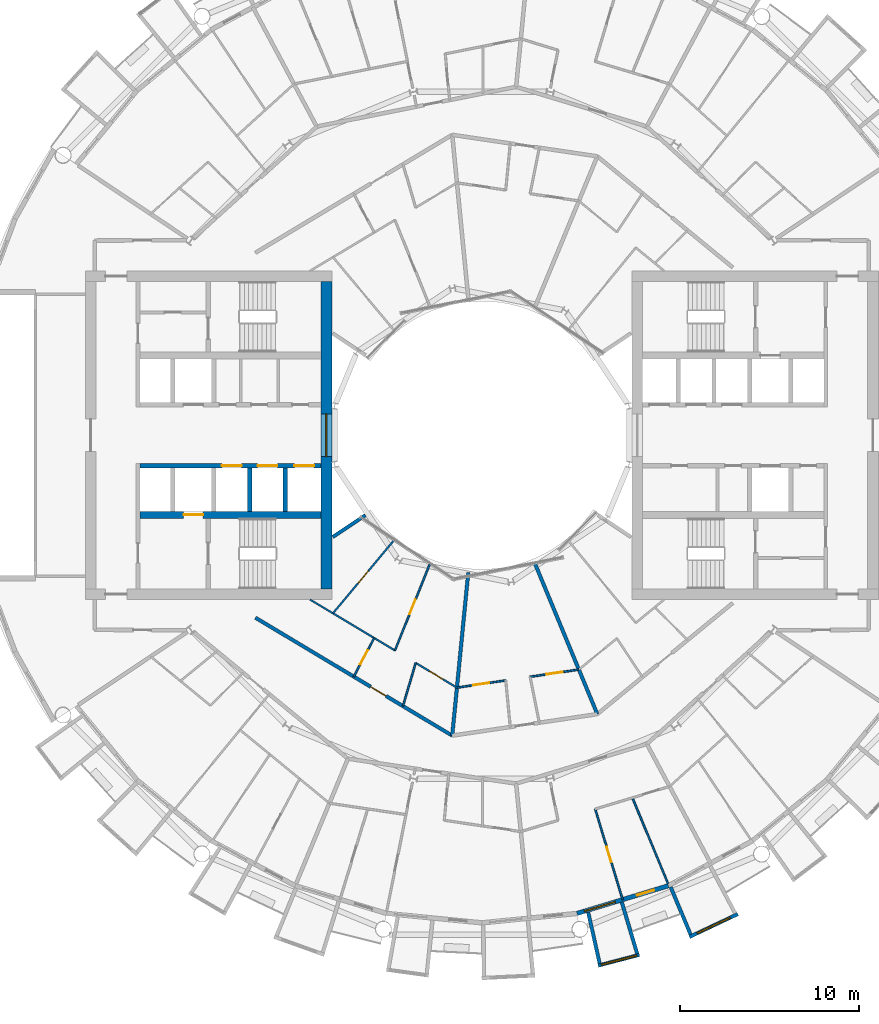
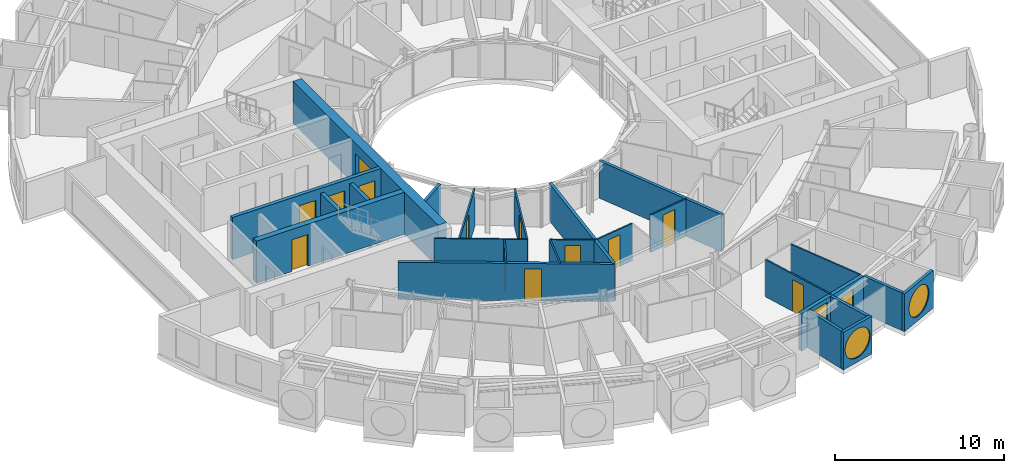
# One storey, part 16 of 28: 25 walls, 13 doors, 4 windows, 17 openings.
"""IFC4 building model written with IfcOpenShell, lengths in metres."""

from ifc_helpers import new_model, si_unit, direction, frame, frame_2d, origin, place, context, subcontext, project, spatial, rectangle, circle, extrude, material, layer, layer_set, type_object, element, fill, save


model = new_model("IFC4")

# Units and contexts
model_context = context("Model", 3, precision=1e-05, world=origin(), true_north=direction((0.0, 1.0)))
body_context = subcontext(model_context, "Body", "Model", "MODEL_VIEW")
ifc_project = project(units=[si_unit("LENGTHUNIT", "METRE"), si_unit("AREAUNIT", "SQUARE_METRE"), si_unit("VOLUMEUNIT", "CUBIC_METRE"), si_unit("PLANEANGLEUNIT", "RADIAN"), si_unit("MASSUNIT", "GRAM", prefix="KILO")], contexts=[model_context])

# Site, building, storey
site_placement = place(None, origin())
site = spatial("IfcSite", under=ifc_project, at=site_placement, CompositionType="ELEMENT")
building_placement = place(site_placement, origin())
building = spatial("IfcBuilding", under=site, at=building_placement, Name="Maasbend Ring Residences", CompositionType="ELEMENT")
storey_placement = place(building_placement, frame((0.0, 0.0, 133.0)))
storey = spatial("IfcBuildingStorey", under=building, at=storey_placement, Name="L38", CompositionType="ELEMENT", Elevation=133.0)

# Wall, openings, doors
ifc_material_1 = material(Name="Concrete C60/75", Category="concrete")
ifc_layer_1 = layer(ifc_material_1, 0.25)
ifc_layer_set_1 = layer_set([ifc_layer_1], Name="Concrete C60/75")
wall_type_1 = type_object("IfcWallType", Name="CORE WALL 250 C60/75", PredefinedType="SHEAR", material=ifc_layer_set_1)
wall_1_placement = place(storey_placement, frame((-9.0, -1.699951171875, 0.0), z_axis=(0.0, 0.0, 1.0), x_axis=(-1.0, 0.0, 0.0)))
wall_1 = element("IfcWall", 1, at=wall_1_placement, inside=storey, type_object=wall_type_1, Name="L38 core W wall SPN", PredefinedType="SHEAR", context=body_context, shape_type="SweptSolid", body=[
    extrude(rectangle(XDim=10.14990234375, YDim=0.25, at=frame_2d((5.074951171875, 0.0))), origin(), (0.0, 0.0, 1.0), 3.050048828125),
])
opening_1_placement = place(wall_1_placement, frame((0.387451171875, 0.0, 0.0)))
opening_1 = element("IfcOpeningElement", 2, at=opening_1_placement, cuts=wall_1, Name="Opening LD-W3801", PredefinedType="OPENING", context=body_context, shape_type="SweptSolid", body=[
    extrude(rectangle(XDim=1.10009765625, YDim=2.300048828125, at=frame_2d((0.550048828125, 1.14990234375))), frame((0.0, 0.135009765625, 0.0), z_axis=(0.0, -1.0, 0.0), x_axis=(1.0, 0.0, 0.0)), (0.0, 0.0, 1.0), 0.27001953125),
])
opening_2_placement = place(wall_1_placement, frame((2.449951171875, 0.0, 0.0)))
opening_2 = element("IfcOpeningElement", 3, at=opening_2_placement, cuts=wall_1, Name="Opening LD-W3802", PredefinedType="OPENING", context=body_context, shape_type="SweptSolid", body=[
    extrude(rectangle(XDim=1.10009765625, YDim=2.300048828125, at=frame_2d((0.550048828125, 1.14990234375))), frame((0.0, 0.135009765625, 0.0), z_axis=(0.0, -1.0, 0.0), x_axis=(1.0, 0.0, 0.0)), (0.0, 0.0, 1.0), 0.27001953125),
])
opening_3_placement = place(wall_1_placement, frame((4.449951171875, 0.0, 0.0)))
opening_3 = element("IfcOpeningElement", 4, at=opening_3_placement, cuts=wall_1, Name="Opening LD-W3803", PredefinedType="OPENING", context=body_context, shape_type="SweptSolid", body=[
    extrude(rectangle(XDim=1.10009765625, YDim=2.300048828125, at=frame_2d((0.550048828125, 1.14990234375))), frame((0.0, 0.135009765625, 0.0), z_axis=(0.0, -1.0, 0.0), x_axis=(1.0, 0.0, 0.0)), (0.0, 0.0, 1.0), 0.27001953125),
])
ifc_material_2 = material(Name="Stainless steel 316", Category="steel")
door_type_1 = type_object("IfcDoorType", Name="LANDING DOOR 1100 X 2300 FD60", OperationType="DOUBLE_DOOR_SLIDING", PredefinedType="DOOR", material=ifc_material_2)
door_1_placement = place(opening_1_placement, origin())
door_1 = element("IfcDoor", 5, at=door_1_placement, inside=storey, type_object=door_type_1, Name="Landing door LR-W1 L38", OperationType="DOUBLE_DOOR_SLIDING", OverallHeight=2.300048828125, OverallWidth=1.10009765625, PredefinedType="DOOR", context=body_context, shape_type="SweptSolid", body=[
    extrude(rectangle(XDim=1.10009765625, YDim=2.300048828125, at=frame_2d((0.550048828125, 1.14990234375))), frame((0.0, 0.02490234375, 0.0), z_axis=(0.0, -1.0, 0.0), x_axis=(1.0, 0.0, 0.0)), (0.0, 0.0, 1.0), 0.050048828125),
])
fill(opening_1, door_1)
door_2_placement = place(opening_2_placement, origin())
door_2 = element("IfcDoor", 6, at=door_2_placement, inside=storey, type_object=door_type_1, Name="Landing door LR-W2 L38", OperationType="DOUBLE_DOOR_SLIDING", OverallHeight=2.300048828125, OverallWidth=1.10009765625, PredefinedType="DOOR", context=body_context, shape_type="SweptSolid", body=[
    extrude(rectangle(XDim=1.10009765625, YDim=2.300048828125, at=frame_2d((0.550048828125, 1.14990234375))), frame((0.0, 0.02490234375, 0.0), z_axis=(0.0, -1.0, 0.0), x_axis=(1.0, 0.0, 0.0)), (0.0, 0.0, 1.0), 0.050048828125),
])
fill(opening_2, door_2)
door_3_placement = place(opening_3_placement, origin())
door_3 = element("IfcDoor", 7, at=door_3_placement, inside=storey, type_object=door_type_1, Name="Landing door LR-W3 L38", OperationType="DOUBLE_DOOR_SLIDING", OverallHeight=2.300048828125, OverallWidth=1.10009765625, PredefinedType="DOOR", context=body_context, shape_type="SweptSolid", body=[
    extrude(rectangle(XDim=1.10009765625, YDim=2.300048828125, at=frame_2d((0.550048828125, 1.14990234375))), frame((0.0, 0.02490234375, 0.0), z_axis=(0.0, -1.0, 0.0), x_axis=(1.0, 0.0, 0.0)), (0.0, 0.0, 1.0), 0.050048828125),
])
fill(opening_3, door_3)

# Wall, opening, door
ifc_material_3 = material(Name="Concrete C60/75", Category="concrete")
ifc_layer_2 = layer(ifc_material_3, 0.375)
ifc_layer_set_2 = layer_set([ifc_layer_2], Name="Concrete C60/75")
wall_type_2 = type_object("IfcWallType", Name="CORE WALL 375 C60/75", PredefinedType="SHEAR", material=ifc_layer_set_2)
wall_2_placement = place(storey_placement, frame((-9.0, -4.46240234375, 0.0), z_axis=(0.0, 0.0, 1.0), x_axis=(-1.0, 0.0, 0.0)))
wall_2 = element("IfcWall", 8, at=wall_2_placement, inside=storey, type_object=wall_type_2, Name="L38 core W wall BN", PredefinedType="SHEAR", context=body_context, shape_type="SweptSolid", body=[
    extrude(rectangle(XDim=10.14990234375, YDim=0.375, at=frame_2d((5.074951171875, 0.0))), origin(), (0.0, 0.0, 1.0), 3.050048828125),
])
opening_4_placement = place(wall_2_placement, frame((6.60009765625, 0.0, 0.0)))
opening_4 = element("IfcOpeningElement", 9, at=opening_4_placement, cuts=wall_2, Name="Opening LD-W3804", PredefinedType="OPENING", context=body_context, shape_type="SweptSolid", body=[
    extrude(rectangle(XDim=1.10009765625, YDim=2.300048828125, at=frame_2d((0.550048828125, 1.14990234375))), frame((0.0, 0.197509765625, 0.0), z_axis=(0.0, -1.0, 0.0), x_axis=(1.0, 0.0, 0.0)), (0.0, 0.0, 1.0), 0.39501953125),
])
door_4_placement = place(opening_4_placement, origin())
door_4 = element("IfcDoor", 10, at=door_4_placement, inside=storey, type_object=door_type_1, Name="Landing door FF-W L38", OperationType="DOUBLE_DOOR_SLIDING", OverallHeight=2.300048828125, OverallWidth=1.10009765625, PredefinedType="DOOR", context=body_context, shape_type="SweptSolid", body=[
    extrude(rectangle(XDim=1.10009765625, YDim=2.300048828125, at=frame_2d((0.550048828125, 1.14990234375))), frame((0.0, 0.02490234375, 0.0), z_axis=(0.0, -1.0, 0.0), x_axis=(1.0, 0.0, 0.0)), (0.0, 0.0, 1.0), 0.050048828125),
])
fill(opening_4, door_4)

# Wall, opening, window
ifc_material_4 = material(Name="Concrete C60/75", Category="concrete")
ifc_layer_3 = layer(ifc_material_4, 0.60009765625)
ifc_layer_set_3 = layer_set([ifc_layer_3], Name="Concrete C60/75")
wall_type_3 = type_object("IfcWallType", Name="CORE WALL 600 C60/75", PredefinedType="SHEAR", material=ifc_layer_set_3)
wall_3_placement = place(storey_placement, frame((-8.699951171875, 8.60009765625, 0.0), z_axis=(0.0, 0.0, 1.0), x_axis=(0.0, -1.0, 0.0)))
wall_3 = element("IfcWall", 11, at=wall_3_placement, inside=storey, type_object=wall_type_3, Name="L38 core W wall PIN", PredefinedType="SHEAR", context=body_context, shape_type="SweptSolid", body=[
    extrude(rectangle(XDim=17.2001953125, YDim=0.60009765625, at=frame_2d((8.60009765625, 0.0))), origin(), (0.0, 0.0, 1.0), 3.050048828125),
])
opening_5_placement = place(wall_3_placement, frame((7.39990234375, 0.0, 0.10009765625)))
opening_5 = element("IfcOpeningElement", 12, at=opening_5_placement, cuts=wall_3, Name="Opening W-W3801", PredefinedType="OPENING", context=body_context, shape_type="SweptSolid", body=[
    extrude(rectangle(XDim=2.39990234375, YDim=2.199951171875, at=frame_2d((1.199951171875, 1.10009765625))), frame((0.0, 0.31005859375, 0.0), z_axis=(0.0, -1.0, 0.0), x_axis=(1.0, 0.0, 0.0)), (0.0, 0.0, 1.0), 0.6201171875),
])
ifc_material_5 = material(Name="Aluminium frame and clear glass", Category="aluminium")
window_type_1 = type_object("IfcWindowType", Name="FIXED WINDOW 2400 X 2200", PartitioningType="SINGLE_PANEL", PredefinedType="WINDOW", material=ifc_material_5)
window_1_placement = place(opening_5_placement, origin())
window_1 = element("IfcWindow", 13, at=window_1_placement, inside=storey, type_object=window_type_1, Name="Lobby window L38", OverallHeight=2.199951171875, OverallWidth=2.39990234375, PartitioningType="SINGLE_PANEL", PredefinedType="WINDOW", context=body_context, shape_type="SweptSolid", body=[
    extrude(rectangle(XDim=2.39990234375, YDim=2.199951171875, at=frame_2d((1.199951171875, 1.10009765625))), frame((0.0, 0.030029296875, 0.0), z_axis=(0.0, -1.0, 0.0), x_axis=(1.0, 0.0, 0.0)), (0.0, 0.0, 1.0), 0.06005859375),
])
fill(opening_5, window_1)

# Wall, opening, door
ifc_material_6 = material(Name="Concrete C30/37", Category="concrete")
ifc_layer_4 = layer(ifc_material_6, 0.199951171875)
ifc_layer_set_4 = layer_set([ifc_layer_4], Name="Concrete C30/37")
wall_type_4 = type_object("IfcWallType", Name="CORRIDOR WALL 200 CONCRETE", PredefinedType="PARTITIONING", material=ifc_layer_set_4)
wall_4_placement = place(storey_placement, frame((-12.674072265625, -10.216064453125, 0.0), z_axis=(0.0, 0.0, 1.0), x_axis=(0.857761135463, -0.514048474844, 0.0)))
wall_4 = element("IfcWall", 14, at=wall_4_placement, inside=storey, type_object=wall_type_4, Name="U-L38-w018", PredefinedType="PARTITIONING", context=body_context, shape_type="SweptSolid", body=[
    extrude(rectangle(XDim=12.84521484375, YDim=0.199951171875, at=frame_2d((6.422607421875, 0.0))), origin(), (0.0, 0.0, 1.0), 2.699951171875),
])
opening_6_placement = place(wall_4_placement, frame((7.527099609375, 0.0, 0.0)))
opening_6 = element("IfcOpeningElement", 15, at=opening_6_placement, cuts=wall_4, Name="Opening D-3859", PredefinedType="OPENING", context=body_context, shape_type="SweptSolid", body=[
    extrude(rectangle(XDim=1.0, YDim=2.300048828125, at=frame_2d((0.5, 1.14990234375))), frame((0.0, 0.10986328125, 0.0), z_axis=(0.0, -1.0, 0.0), x_axis=(1.0, 0.0, 0.0)), (0.0, 0.0, 1.0), 0.219970703125),
])
ifc_material_7 = material(Name="Timber, fire-rated, painted", Category="wood")
door_type_2 = type_object("IfcDoorType", Name="FLAT ENTRANCE DOOR 1000 X 2300 FIRE-RATED", OperationType="NOTDEFINED", PredefinedType="DOOR", material=ifc_material_7)
door_5_placement = place(opening_6_placement, origin())
door_5 = element("IfcDoor", 16, at=door_5_placement, inside=storey, type_object=door_type_2, Name="D-3859", OperationType="SINGLE_SWING_RIGHT", OverallHeight=2.300048828125, OverallWidth=1.0, PredefinedType="DOOR", context=body_context, shape_type="SweptSolid", body=[
    extrude(rectangle(XDim=1.0, YDim=2.300048828125, at=frame_2d((0.5, 1.14990234375))), frame((0.0, 0.02490234375, 0.0), z_axis=(0.0, -1.0, 0.0), x_axis=(1.0, 0.0, 0.0)), (0.0, 0.0, 1.0), 0.050048828125),
])
fill(opening_6, door_5)

# Wall, opening, window
ifc_material_8 = material(Name="Pale anodised aluminium panel", Category="aluminium")
ifc_layer_5 = layer(ifc_material_8, 0.199951171875)
ifc_layer_set_5 = layer_set([ifc_layer_5], Name="EW-BOX")
wall_type_5 = type_object("IfcWallType", Name="EW-BOX", PredefinedType="SOLIDWALL", material=ifc_layer_set_5)
wall_5_placement = place(storey_placement, frame((6.514892578125, -29.694091796875, -0.030029296875), z_axis=(0.0, 0.0, 1.0), x_axis=(0.967554339146, 0.252663018266, 0.0)))
wall_5 = element("IfcWall", 17, at=wall_5_placement, inside=storey, type_object=wall_type_5, Name="Box front S13", PredefinedType="SOLIDWALL", context=body_context, shape_type="SweptSolid", body=[
    extrude(rectangle(XDim=2.390625, YDim=0.199951171875, at=frame_2d((1.1953125, 0.0))), origin(), (0.0, 0.0, 1.0), 2.72998046875),
])
opening_7_placement = place(wall_5_placement, frame((0.15576171875, 0.0, 0.330078125)))
opening_7 = element("IfcOpeningElement", 18, at=opening_7_placement, cuts=wall_5, Name="Opening W-RD", PredefinedType="OPENING", context=body_context, shape_type="SweptSolid", body=[
    extrude(circle(Radius=1.0400390625, at=frame_2d((1.0400390625, 1.0400390625))), frame((0.0, 0.10986328125, 0.0), z_axis=(0.0, -1.0, 0.0), x_axis=(1.0, 0.0, 0.0)), (0.0, 0.0, 1.0), 0.219970703125),
])
ifc_material_9 = material(Name="Aluminium and clear glass", Category="aluminium")
window_type_2 = type_object("IfcWindowType", Name="W-RD", PartitioningType="SINGLE_PANEL", PredefinedType="WINDOW", material=ifc_material_9)
window_2_placement = place(opening_7_placement, origin())
window_2 = element("IfcWindow", 19, at=window_2_placement, inside=storey, type_object=window_type_2, Name="Round window S13", OverallHeight=2.080078125, OverallWidth=2.080078125, PartitioningType="SINGLE_PANEL", PredefinedType="WINDOW", context=body_context, shape_type="SweptSolid", body=[
    extrude(circle(Radius=1.0400390625, at=frame_2d((1.0400390625, 1.0400390625))), frame((0.0, 0.030029296875, 0.0), z_axis=(0.0, -1.0, 0.0), x_axis=(1.0, 0.0, 0.0)), (0.0, 0.0, 1.0), 0.06005859375),
])
fill(opening_7, window_2)

# Walls
wall_6_placement = place(storey_placement, frame((5.95703125, -26.715087890625, -0.030029296875), z_axis=(0.0, 0.0, 1.0), x_axis=(0.217857287091, -0.975980636315, 0.0)))
element("IfcWall", 20, at=wall_6_placement, inside=storey, type_object=wall_type_5, Name="Box side wall S13 left", PredefinedType="SOLIDWALL", context=body_context, shape_type="SweptSolid", body=[
    extrude(rectangle(XDim=2.92822265625, YDim=0.199951171875, at=frame_2d((1.464111328125, 0.0))), origin(), (0.0, 0.0, 1.0), 2.72998046875),
])
wall_7_placement = place(storey_placement, frame((7.8369140625, -26.14404296875, -0.030029296875), z_axis=(0.0, 0.0, 1.0), x_axis=(0.287064767992, -0.957911174889, 0.0)))
element("IfcWall", 21, at=wall_7_placement, inside=storey, type_object=wall_type_5, Name="Box side wall S13 right", PredefinedType="SOLIDWALL", context=body_context, shape_type="SweptSolid", body=[
    extrude(rectangle(XDim=3.00634765625, YDim=0.199951171875, at=frame_2d((1.503173828125, 0.0))), origin(), (0.0, 0.0, 1.0), 2.72998046875),
])

# Wall, opening, window
wall_8_placement = place(storey_placement, frame((11.62890625, -28.087890625, -0.030029296875), z_axis=(0.0, 0.0, 1.0), x_axis=(0.904000060331, 0.427532327342, 0.0)))
wall_8 = element("IfcWall", 22, at=wall_8_placement, inside=storey, type_object=wall_type_5, Name="Box front S15", PredefinedType="SOLIDWALL", context=body_context, shape_type="SweptSolid", body=[
    extrude(rectangle(XDim=2.993408203125, YDim=0.199951171875, at=frame_2d((1.49658203125, 0.0))), origin(), (0.0, 0.0, 1.0), 2.72998046875),
])
opening_8_placement = place(wall_8_placement, frame((0.45654296875, 0.0, 0.330078125)))
opening_8 = element("IfcOpeningElement", 23, at=opening_8_placement, cuts=wall_8, Name="Opening W-RD", PredefinedType="OPENING", context=body_context, shape_type="SweptSolid", body=[
    extrude(circle(Radius=1.0400390625, at=frame_2d((1.0400390625, 1.0400390625))), frame((0.0, 0.10986328125, 0.0), z_axis=(0.0, -1.0, 0.0), x_axis=(1.0, 0.0, 0.0)), (0.0, 0.0, 1.0), 0.219970703125),
])
window_3_placement = place(opening_8_placement, origin())
window_3 = element("IfcWindow", 24, at=window_3_placement, inside=storey, type_object=window_type_2, Name="Round window S15", OverallHeight=2.080078125, OverallWidth=2.080078125, PartitioningType="SINGLE_PANEL", PredefinedType="WINDOW", context=body_context, shape_type="SweptSolid", body=[
    extrude(circle(Radius=1.0400390625, at=frame_2d((1.0400390625, 1.0400390625))), frame((0.0, 0.030029296875, 0.0), z_axis=(0.0, -1.0, 0.0), x_axis=(1.0, 0.0, 0.0)), (0.0, 0.0, 1.0), 0.06005859375),
])
fill(opening_8, window_3)

# Wall
wall_9_placement = place(storey_placement, frame((10.574951171875, -25.294921875, -0.030029296875), z_axis=(0.0, 0.0, 1.0), x_axis=(0.385697364644, -0.922625353492, 0.0)))
element("IfcWall", 25, at=wall_9_placement, inside=storey, type_object=wall_type_5, Name="Box side wall S15 left", PredefinedType="SOLIDWALL", context=body_context, shape_type="SweptSolid", body=[
    extrude(rectangle(XDim=2.88330078125, YDim=0.199951171875, at=frame_2d((1.441650390625, 0.0))), origin(), (0.0, 0.0, 1.0), 2.72998046875),
])

# Wall, openings, door, window
ifc_material_10 = material(Name="Aluminium clad insulated panel", Category="aluminium")
ifc_layer_6 = layer(ifc_material_10, 0.25)
ifc_layer_set_6 = layer_set([ifc_layer_6], Name="EW-GL")
wall_type_6 = type_object("IfcWallType", Name="EW-GL", PredefinedType="SOLIDWALL", material=ifc_layer_set_6)
wall_10_placement = place(storey_placement, frame((5.325927734375, -26.77490234375, 0.0), z_axis=(0.0, 0.0, 1.0), x_axis=(0.956965678721, 0.290201119486, 0.0)))
wall_10 = element("IfcWall", 26, at=wall_10_placement, inside=storey, type_object=wall_type_6, Name="External wall S07", PredefinedType="SOLIDWALL", context=body_context, shape_type="SweptSolid", body=[
    extrude(rectangle(XDim=5.351318359375, YDim=0.25, at=frame_2d((2.67578125, 0.0))), origin(), (0.0, 0.0, 1.0), 2.699951171875),
])
opening_9_placement = place(wall_10_placement, frame((0.441162109375, 0.0, 0.300048828125)))
opening_9 = element("IfcOpeningElement", 27, at=opening_9_placement, cuts=wall_10, Name="Opening W-BX", PredefinedType="OPENING", context=body_context, shape_type="SweptSolid", body=[
    extrude(rectangle(XDim=1.800048828125, YDim=2.10009765625, at=frame_2d((0.89990234375, 1.050048828125))), frame((0.0, 0.135009765625, 0.0), z_axis=(0.0, -1.0, 0.0), x_axis=(1.0, 0.0, 0.0)), (0.0, 0.0, 1.0), 0.27001953125),
])
opening_10_placement = place(wall_10_placement, frame((3.510498046875, 0.0, 0.0)))
opening_10 = element("IfcOpeningElement", 28, at=opening_10_placement, cuts=wall_10, Name="Opening D-LG", PredefinedType="OPENING", context=body_context, shape_type="SweptSolid", body=[
    extrude(rectangle(XDim=1.0, YDim=2.199951171875, at=frame_2d((0.5, 1.10009765625))), frame((0.0, 0.135009765625, 0.0), z_axis=(0.0, -1.0, 0.0), x_axis=(1.0, 0.0, 0.0)), (0.0, 0.0, 1.0), 0.27001953125),
])
ifc_material_11 = material(Name="Aluminium and clear glass", Category="aluminium")
door_type_3 = type_object("IfcDoorType", Name="D-LG", OperationType="SINGLE_SWING_LEFT", PredefinedType="DOOR", material=ifc_material_11)
door_6_placement = place(opening_10_placement, origin())
door_6 = element("IfcDoor", 29, at=door_6_placement, inside=storey, type_object=door_type_3, Name="Loggia door S14", OperationType="SINGLE_SWING_LEFT", OverallHeight=2.199951171875, OverallWidth=1.0, PredefinedType="DOOR", context=body_context, shape_type="SweptSolid", body=[
    extrude(rectangle(XDim=1.0, YDim=2.199951171875, at=frame_2d((0.5, 1.10009765625))), frame((0.0, 0.02490234375, 0.0), z_axis=(0.0, -1.0, 0.0), x_axis=(1.0, 0.0, 0.0)), (0.0, 0.0, 1.0), 0.050048828125),
])
fill(opening_10, door_6)
ifc_material_12 = material(Name="Aluminium and clear glass", Category="aluminium")
window_type_3 = type_object("IfcWindowType", Name="W-BX", PartitioningType="DOUBLE_PANEL_VERTICAL", PredefinedType="WINDOW", material=ifc_material_12)
window_4_placement = place(opening_9_placement, origin())
window_4 = element("IfcWindow", 30, at=window_4_placement, inside=storey, type_object=window_type_3, Name="Window S13 room to box", OverallHeight=2.10009765625, OverallWidth=1.800048828125, PartitioningType="SINGLE_PANEL", PredefinedType="WINDOW", context=body_context, shape_type="SweptSolid", body=[
    extrude(rectangle(XDim=1.800048828125, YDim=2.10009765625, at=frame_2d((0.89990234375, 1.050048828125))), frame((0.0, 0.030029296875, 0.0), z_axis=(0.0, -1.0, 0.0), x_axis=(1.0, 0.0, 0.0)), (0.0, 0.0, 1.0), 0.06005859375),
])
fill(opening_9, window_4)

# Wall, opening, door
ifc_material_13 = material(Name="Gypsum board on steel studs", Category="steel")
ifc_layer_7 = layer(ifc_material_13, 0.10009765625)
ifc_layer_set_7 = layer_set([ifc_layer_7], Name="PARTITION 100 GYPSUM")
wall_type_7 = type_object("IfcWallType", Name="PARTITION 100 GYPSUM", PredefinedType="PARTITIONING", material=ifc_layer_set_7)
wall_11_placement = place(storey_placement, frame((-1.39208984375, -14.132080078125, 0.0), z_axis=(0.0, 0.0, 1.0), x_axis=(0.989182088026, 0.146692865293, 0.0)))
wall_11 = element("IfcWall", 31, at=wall_11_placement, inside=storey, type_object=wall_type_7, Name="U-L38-w019", PredefinedType="PARTITIONING", context=body_context, shape_type="SweptSolid", body=[
    extrude(rectangle(XDim=2.760986328125, YDim=0.10009765625, at=frame_2d((1.38037109375, 0.0))), origin(), (0.0, 0.0, 1.0), 2.699951171875),
])
opening_11_placement = place(wall_11_placement, frame((0.929931640625, 0.0, 0.0)))
opening_11 = element("IfcOpeningElement", 32, at=opening_11_placement, cuts=wall_11, Name="Opening D-3866", PredefinedType="OPENING", context=body_context, shape_type="SweptSolid", body=[
    extrude(rectangle(XDim=0.89990234375, YDim=2.300048828125, at=frame_2d((0.449951171875, 1.14990234375))), frame((0.0, 0.06005859375, 0.0), z_axis=(0.0, -1.0, 0.0), x_axis=(1.0, 0.0, 0.0)), (0.0, 0.0, 1.0), 0.1201171875),
])
ifc_material_14 = material(Name="Timber, painted", Category="wood")
door_type_4 = type_object("IfcDoorType", Name="INTERNAL DOOR 900 X 2300", OperationType="NOTDEFINED", PredefinedType="DOOR", material=ifc_material_14)
door_7_placement = place(opening_11_placement, origin())
door_7 = element("IfcDoor", 33, at=door_7_placement, inside=storey, type_object=door_type_4, Name="D-3866", OperationType="SINGLE_SWING_LEFT", OverallHeight=2.300048828125, OverallWidth=0.89990234375, PredefinedType="DOOR", context=body_context, shape_type="SweptSolid", body=[
    extrude(rectangle(XDim=0.89990234375, YDim=2.300048828125, at=frame_2d((0.449951171875, 1.14990234375))), frame((0.0, 0.02490234375, 0.0), z_axis=(0.0, -1.0, 0.0), x_axis=(1.0, 0.0, 0.0)), (0.0, 0.0, 1.0), 0.050048828125),
])
fill(opening_11, door_7)

wall_12_placement = place(storey_placement, frame((2.702880859375, -13.52490234375, 0.0), z_axis=(0.0, 0.0, 1.0), x_axis=(0.98918730894, 0.146657655211, 0.0)))
wall_12 = element("IfcWall", 34, at=wall_12_placement, inside=storey, type_object=wall_type_7, Name="U-L38-w020", PredefinedType="PARTITIONING", context=body_context, shape_type="SweptSolid", body=[
    extrude(rectangle(XDim=2.760009765625, YDim=0.10009765625, at=frame_2d((1.3798828125, 0.0))), origin(), (0.0, 0.0, 1.0), 2.699951171875),
])
opening_12_placement = place(wall_12_placement, frame((0.930908203125, 0.0, 0.0)))
opening_12 = element("IfcOpeningElement", 35, at=opening_12_placement, cuts=wall_12, Name="Opening D-3865", PredefinedType="OPENING", context=body_context, shape_type="SweptSolid", body=[
    extrude(rectangle(XDim=0.89990234375, YDim=2.300048828125, at=frame_2d((0.449951171875, 1.14990234375))), frame((0.0, 0.06005859375, 0.0), z_axis=(0.0, -1.0, 0.0), x_axis=(1.0, 0.0, 0.0)), (0.0, 0.0, 1.0), 0.1201171875),
])
door_8_placement = place(opening_12_placement, origin())
door_8 = element("IfcDoor", 36, at=door_8_placement, inside=storey, type_object=door_type_4, Name="D-3865", OperationType="SINGLE_SWING_RIGHT", OverallHeight=2.300048828125, OverallWidth=0.89990234375, PredefinedType="DOOR", context=body_context, shape_type="SweptSolid", body=[
    extrude(rectangle(XDim=0.89990234375, YDim=2.300048828125, at=frame_2d((0.449951171875, 1.14990234375))), frame((0.0, 0.02490234375, 0.0), z_axis=(0.0, -1.0, 0.0), x_axis=(1.0, 0.0, 0.0)), (0.0, 0.0, 1.0), 0.050048828125),
])
fill(opening_12, door_8)

# Wall
wall_13_placement = place(storey_placement, frame((-9.62109375, -9.198974609375, 0.0), z_axis=(0.0, 0.0, 1.0), x_axis=(0.857698539053, -0.514152911211, 0.0)))
element("IfcWall", 37, at=wall_13_placement, inside=storey, type_object=wall_type_7, Name="U-L38-w023", PredefinedType="PARTITIONING", context=body_context, shape_type="SweptSolid", body=[
    extrude(rectangle(XDim=5.55078125, YDim=0.10009765625, at=frame_2d((2.775390625, 0.0))), origin(), (0.0, 0.0, 1.0), 2.699951171875),
])

# Wall, opening, door
wall_14_placement = place(storey_placement, frame((-3.701904296875, -12.7470703125, 0.0), z_axis=(0.0, 0.0, 1.0), x_axis=(0.85772440305, -0.514109763001, 0.0)))
wall_14 = element("IfcWall", 38, at=wall_14_placement, inside=storey, type_object=wall_type_7, Name="U-L38-w024", PredefinedType="PARTITIONING", context=body_context, shape_type="SweptSolid", body=[
    extrude(rectangle(XDim=2.69775390625, YDim=0.10009765625, at=frame_2d((1.348876953125, 0.0))), origin(), (0.0, 0.0, 1.0), 2.699951171875),
])
opening_13_placement = place(wall_14_placement, frame((0.89404296875, 0.0, 0.0)))
opening_13 = element("IfcOpeningElement", 39, at=opening_13_placement, cuts=wall_14, Name="Opening D-3860", PredefinedType="OPENING", context=body_context, shape_type="SweptSolid", body=[
    extrude(rectangle(XDim=0.89990234375, YDim=2.300048828125, at=frame_2d((0.449951171875, 1.14990234375))), frame((0.0, 0.06005859375, 0.0), z_axis=(0.0, -1.0, 0.0), x_axis=(1.0, 0.0, 0.0)), (0.0, 0.0, 1.0), 0.1201171875),
])
door_9_placement = place(opening_13_placement, origin())
door_9 = element("IfcDoor", 40, at=door_9_placement, inside=storey, type_object=door_type_4, Name="D-3860", OperationType="SINGLE_SWING_LEFT", OverallHeight=2.300048828125, OverallWidth=0.89990234375, PredefinedType="DOOR", context=body_context, shape_type="SweptSolid", body=[
    extrude(rectangle(XDim=0.89990234375, YDim=2.300048828125, at=frame_2d((0.449951171875, 1.14990234375))), frame((0.0, 0.02490234375, 0.0), z_axis=(0.0, -1.0, 0.0), x_axis=(1.0, 0.0, 0.0)), (0.0, 0.0, 1.0), 0.050048828125),
])
fill(opening_13, door_9)

wall_15_placement = place(storey_placement, frame((-8.3349609375, -9.969970703125, 0.0), z_axis=(0.0, 0.0, 1.0), x_axis=(0.641376424834, 0.767226356213, 0.0)))
wall_15 = element("IfcWall", 41, at=wall_15_placement, inside=storey, type_object=wall_type_7, Name="U-L38-w044", PredefinedType="PARTITIONING", context=body_context, shape_type="SweptSolid", body=[
    extrude(rectangle(XDim=5.274658203125, YDim=0.10009765625, at=frame_2d((2.63720703125, 0.0))), origin(), (0.0, 0.0, 1.0), 2.699951171875),
])
opening_14_placement = place(wall_15_placement, frame((2.18701171875, 0.0, 0.0)))
opening_14 = element("IfcOpeningElement", 42, at=opening_14_placement, cuts=wall_15, Name="Opening D-3863", PredefinedType="OPENING", context=body_context, shape_type="SweptSolid", body=[
    extrude(rectangle(XDim=0.89990234375, YDim=2.300048828125, at=frame_2d((0.449951171875, 1.14990234375))), frame((0.0, 0.06005859375, 0.0), z_axis=(0.0, -1.0, 0.0), x_axis=(1.0, 0.0, 0.0)), (0.0, 0.0, 1.0), 0.1201171875),
])
door_10_placement = place(opening_14_placement, origin())
door_10 = element("IfcDoor", 43, at=door_10_placement, inside=storey, type_object=door_type_4, Name="D-3863", OperationType="SINGLE_SWING_RIGHT", OverallHeight=2.300048828125, OverallWidth=0.89990234375, PredefinedType="DOOR", context=body_context, shape_type="SweptSolid", body=[
    extrude(rectangle(XDim=0.89990234375, YDim=2.300048828125, at=frame_2d((0.449951171875, 1.14990234375))), frame((0.0, 0.02490234375, 0.0), z_axis=(0.0, -1.0, 0.0), x_axis=(1.0, 0.0, 0.0)), (0.0, 0.0, 1.0), 0.050048828125),
])
fill(opening_14, door_10)

wall_16_placement = place(storey_placement, frame((-7.1689453125, -13.51611328125, 0.0), z_axis=(0.0, 0.0, 1.0), x_axis=(0.468649029236, 0.883384450506, 0.0)))
wall_16 = element("IfcWall", 44, at=wall_16_placement, inside=storey, type_object=wall_type_7, Name="U-L38-w048", PredefinedType="PARTITIONING", context=body_context, shape_type="SweptSolid", body=[
    extrude(rectangle(XDim=2.4453125, YDim=0.10009765625, at=frame_2d((1.22265625, 0.0))), origin(), (0.0, 0.0, 1.0), 2.699951171875),
])
opening_15_placement = place(wall_16_placement, frame((0.77294921875, 0.0, 0.0)))
opening_15 = element("IfcOpeningElement", 45, at=opening_15_placement, cuts=wall_16, Name="Opening D-3861", PredefinedType="OPENING", context=body_context, shape_type="SweptSolid", body=[
    extrude(rectangle(XDim=0.89990234375, YDim=2.300048828125, at=frame_2d((0.449951171875, 1.14990234375))), frame((0.0, 0.06005859375, 0.0), z_axis=(0.0, -1.0, 0.0), x_axis=(1.0, 0.0, 0.0)), (0.0, 0.0, 1.0), 0.1201171875),
])
door_11_placement = place(opening_15_placement, origin())
door_11 = element("IfcDoor", 46, at=door_11_placement, inside=storey, type_object=door_type_4, Name="D-3861", OperationType="SINGLE_SWING_RIGHT", OverallHeight=2.300048828125, OverallWidth=0.89990234375, PredefinedType="DOOR", context=body_context, shape_type="SweptSolid", body=[
    extrude(rectangle(XDim=0.89990234375, YDim=2.300048828125, at=frame_2d((0.449951171875, 1.14990234375))), frame((0.0, 0.02490234375, 0.0), z_axis=(0.0, -1.0, 0.0), x_axis=(1.0, 0.0, 0.0)), (0.0, 0.0, 1.0), 0.050048828125),
])
fill(opening_15, door_11)

wall_17_placement = place(storey_placement, frame((-4.864013671875, -12.051025390625, 0.0), z_axis=(0.0, 0.0, 1.0), x_axis=(0.374372761824, 0.927278294367, 0.0)))
wall_17 = element("IfcWall", 47, at=wall_17_placement, inside=storey, type_object=wall_type_7, Name="U-L38-w052", PredefinedType="PARTITIONING", context=body_context, shape_type="SweptSolid", body=[
    extrude(rectangle(XDim=5.275634765625, YDim=0.10009765625, at=frame_2d((2.6376953125, 0.0))), origin(), (0.0, 0.0, 1.0), 2.699951171875),
])
opening_16_placement = place(wall_17_placement, frame((2.18798828125, 0.0, 0.0)))
opening_16 = element("IfcOpeningElement", 48, at=opening_16_placement, cuts=wall_17, Name="Opening D-3862", PredefinedType="OPENING", context=body_context, shape_type="SweptSolid", body=[
    extrude(rectangle(XDim=0.89990234375, YDim=2.300048828125, at=frame_2d((0.449951171875, 1.14990234375))), frame((0.0, 0.06005859375, 0.0), z_axis=(0.0, -1.0, 0.0), x_axis=(1.0, 0.0, 0.0)), (0.0, 0.0, 1.0), 0.1201171875),
])
door_12_placement = place(opening_16_placement, origin())
door_12 = element("IfcDoor", 49, at=door_12_placement, inside=storey, type_object=door_type_4, Name="D-3862", OperationType="SINGLE_SWING_RIGHT", OverallHeight=2.300048828125, OverallWidth=0.89990234375, PredefinedType="DOOR", context=body_context, shape_type="SweptSolid", body=[
    extrude(rectangle(XDim=0.89990234375, YDim=2.300048828125, at=frame_2d((0.449951171875, 1.14990234375))), frame((0.0, 0.02490234375, 0.0), z_axis=(0.0, -1.0, 0.0), x_axis=(1.0, 0.0, 0.0)), (0.0, 0.0, 1.0), 0.050048828125),
])
fill(opening_16, door_12)

# Wall
wall_18_placement = place(storey_placement, frame((-4.410888671875, -15.16796875, 0.0), z_axis=(0.0, 0.0, 1.0), x_axis=(0.279201466266, 0.960232545395, 0.0)))
element("IfcWall", 50, at=wall_18_placement, inside=storey, type_object=wall_type_7, Name="U-L38-w054", PredefinedType="PARTITIONING", context=body_context, shape_type="SweptSolid", body=[
    extrude(rectangle(XDim=2.5244140625, YDim=0.10009765625, at=frame_2d((1.26220703125, 0.0))), origin(), (0.0, 0.0, 1.0), 2.699951171875),
])

# Wall, opening, door
wall_19_placement = place(storey_placement, frame((6.34912109375, -20.929931640625, 0.0), z_axis=(0.0, 0.0, 1.0), x_axis=(0.290172218727, -0.956974442438, 0.0)))
wall_19 = element("IfcWall", 51, at=wall_19_placement, inside=storey, type_object=wall_type_7, Name="U-L38-w076", PredefinedType="PARTITIONING", context=body_context, shape_type="SweptSolid", body=[
    extrude(rectangle(XDim=5.30322265625, YDim=0.10009765625, at=frame_2d((2.651611328125, 0.0))), origin(), (0.0, 0.0, 1.0), 2.699951171875),
])
opening_17_placement = place(wall_19_placement, frame((2.201904296875, 0.0, 0.0)))
opening_17 = element("IfcOpeningElement", 52, at=opening_17_placement, cuts=wall_19, Name="Opening D-3851", PredefinedType="OPENING", context=body_context, shape_type="SweptSolid", body=[
    extrude(rectangle(XDim=0.89990234375, YDim=2.300048828125, at=frame_2d((0.449951171875, 1.14990234375))), frame((0.0, 0.06005859375, 0.0), z_axis=(0.0, -1.0, 0.0), x_axis=(1.0, 0.0, 0.0)), (0.0, 0.0, 1.0), 0.1201171875),
])
door_13_placement = place(opening_17_placement, origin())
door_13 = element("IfcDoor", 53, at=door_13_placement, inside=storey, type_object=door_type_4, Name="D-3851", OperationType="SINGLE_SWING_RIGHT", OverallHeight=2.300048828125, OverallWidth=0.89990234375, PredefinedType="DOOR", context=body_context, shape_type="SweptSolid", body=[
    extrude(rectangle(XDim=0.89990234375, YDim=2.300048828125, at=frame_2d((0.449951171875, 1.14990234375))), frame((0.0, 0.02490234375, 0.0), z_axis=(0.0, -1.0, 0.0), x_axis=(1.0, 0.0, 0.0)), (0.0, 0.0, 1.0), 0.050048828125),
])
fill(opening_17, door_13)

# Walls
wall_20_placement = place(storey_placement, frame((8.430908203125, -20.298095703125, 0.0), z_axis=(0.0, 0.0, 1.0), x_axis=(0.383480536297, -0.923548958248, 0.0)))
element("IfcWall", 54, at=wall_20_placement, inside=storey, type_object=wall_type_7, Name="U-L38-w080", PredefinedType="PARTITIONING", context=body_context, shape_type="SweptSolid", body=[
    extrude(rectangle(XDim=5.195068359375, YDim=0.10009765625, at=frame_2d((2.59765625, 0.0))), origin(), (0.0, 0.0, 1.0), 2.699951171875),
])
ifc_material_15 = material(Name="Concrete C30/37", Category="concrete")
ifc_layer_8 = layer(ifc_material_15, 0.199951171875)
ifc_layer_set_8 = layer_set([ifc_layer_8], Name="Concrete C30/37")
wall_type_8 = type_object("IfcWallType", Name="PARTY WALL 200 CONCRETE", PredefinedType="PARTITIONING", material=ifc_layer_set_8)
wall_21_placement = place(storey_placement, frame((-6.512939453125, -4.471923828125, 0.0), z_axis=(0.0, 0.0, 1.0), x_axis=(-0.831333375071, -0.555774072347, 0.0)))
element("IfcWall", 55, at=wall_21_placement, inside=storey, type_object=wall_type_8, Name="U-L38-w027", PredefinedType="PARTITIONING", context=body_context, shape_type="SweptSolid", body=[
    extrude(rectangle(XDim=2.20263671875, YDim=0.199951171875, at=frame_2d((1.101318359375, 0.0))), origin(), (0.0, 0.0, 1.0), 2.699951171875),
])
wall_22_placement = place(storey_placement, frame((-1.656982421875, -16.819091796875, 0.0), z_axis=(0.0, 0.0, 1.0), x_axis=(0.098026443043, 0.995183810391, 0.0)))
element("IfcWall", 56, at=wall_22_placement, inside=storey, type_object=wall_type_8, Name="U-L38-w060", PredefinedType="PARTITIONING", context=body_context, shape_type="SweptSolid", body=[
    extrude(rectangle(XDim=9.18017578125, YDim=0.199951171875, at=frame_2d((4.590087890625, 0.0))), origin(), (0.0, 0.0, 1.0), 2.699951171875),
])
wall_23_placement = place(storey_placement, frame((2.9541015625, -7.132080078125, 0.0), z_axis=(0.0, 0.0, 1.0), x_axis=(0.382646942224, -0.923894646378, 0.0)))
element("IfcWall", 57, at=wall_23_placement, inside=storey, type_object=wall_type_8, Name="U-L38-w070", PredefinedType="PARTITIONING", context=body_context, shape_type="SweptSolid", body=[
    extrude(rectangle(XDim=9.1806640625, YDim=0.199951171875, at=frame_2d((4.59033203125, 0.0))), origin(), (0.0, 0.0, 1.0), 2.699951171875),
])
ifc_material_16 = material(Name="Concrete C30/37", Category="concrete")
ifc_layer_9 = layer(ifc_material_16, 0.25)
ifc_layer_set_9 = layer_set([ifc_layer_9], Name="Concrete C30/37")
wall_type_9 = type_object("IfcWallType", Name="SHAFT WALL 250 EI 120", PredefinedType="SOLIDWALL", material=ifc_layer_set_9)
for number, where, z_axis, x_axis, name in (
    (58, (-11.0, -1.824951171875, 0.0), (0.0, 0.0, 1.0), (0.0, -1.0, 0.0), "L38 core W wall D110N"),
    (59, (-13.0, -1.824951171875, 0.0), (0.0, 0.0, 1.0), (0.0, -1.0, 0.0), "L38 core W wall D130N"),
):
    element("IfcWall", number, at=place(storey_placement, frame(where, z_axis=z_axis, x_axis=x_axis)), inside=storey, type_object=wall_type_9, Name=name, PredefinedType="SOLIDWALL", context=body_context, shape_type="SweptSolid", body=[
        extrude(rectangle(XDim=2.449951171875, YDim=0.25, at=frame_2d((1.22509765625, 0.0))), origin(), (0.0, 0.0, 1.0), 2.699951171875),
    ])

save(model, "model.ifc")
